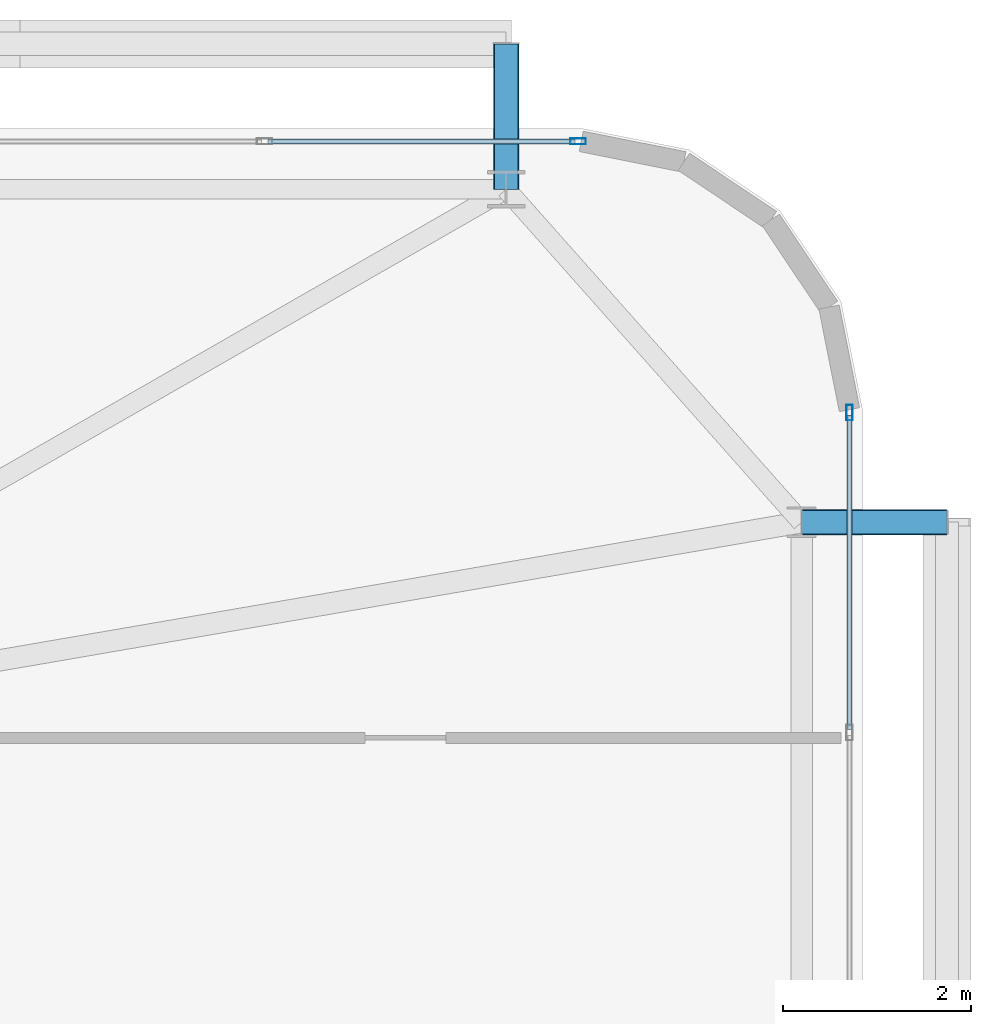
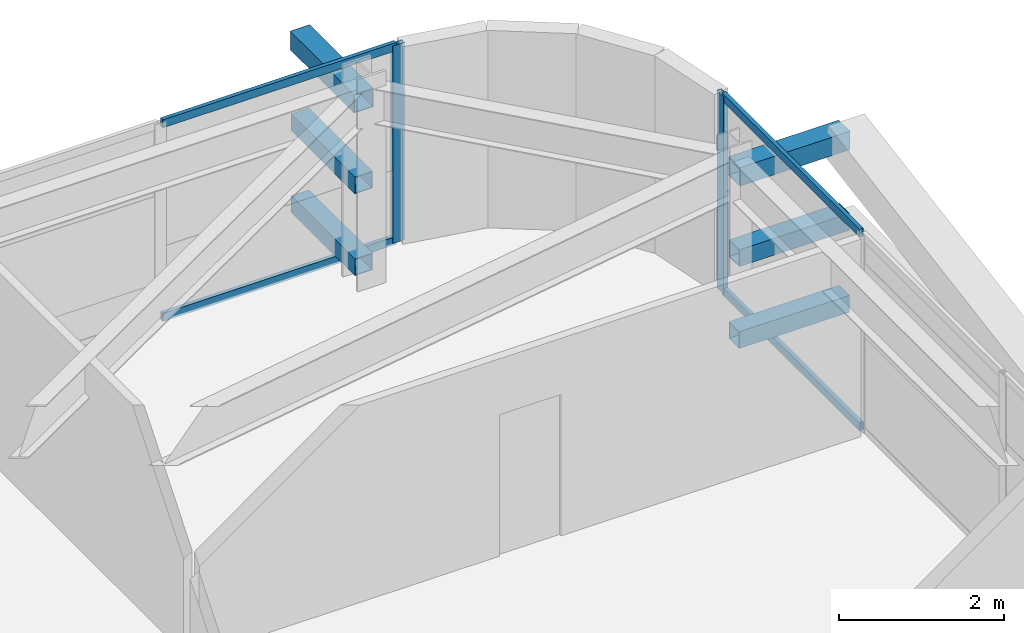
# One storey, part 41 of 58: 12 members, 2 elements without a shape of their own.
"""IFC4 building model written with IfcOpenShell, lengths in metres."""

from ifc_helpers import new_model, si_unit, direction, frame, origin, origin_2d, place, context, subcontext, project, spatial, hollow_rectangle, extrude, source, transform, mapped, material, layer, layer_set, material_profile, profile_set, type_object, element, aggregate, save


model = new_model("IFC4")

# Units and contexts
model_context = context("Model", 3, precision=1e-05, world=origin(), true_north=direction((0.0, 1.0)))
body_context = subcontext(model_context, "Body", "Model", "MODEL_VIEW")
ifc_project = project(units=[si_unit("LENGTHUNIT", "METRE"), si_unit("AREAUNIT", "SQUARE_METRE"), si_unit("VOLUMEUNIT", "CUBIC_METRE"), si_unit("PLANEANGLEUNIT", "RADIAN"), si_unit("MASSUNIT", "GRAM", prefix="KILO")], contexts=[model_context])

# Site, building, storey
site_placement = place(None, origin())
site = spatial("IfcSite", under=ifc_project, at=site_placement, CompositionType="ELEMENT")
building_placement = place(site_placement, origin())
building = spatial("IfcBuilding", under=site, at=building_placement, Name="Taldren Reach Tower", CompositionType="ELEMENT")
storey_placement = place(building_placement, frame((0.0, 0.0, 51.449951171875)))
storey = spatial("IfcBuildingStorey", under=building, at=storey_placement, Name="L15", CompositionType="ELEMENT", Elevation=51.449951171875)

# Members
ifc_material_1 = material(Name="Steel Gr 450 (C450L0)", Category="steel")
ifc_material_profile_1 = material_profile(ifc_material_1, hollow_rectangle(XDim=0.27490234375, YDim=0.27490234375, WallThickness=0.00927734375, at=origin_2d()), Name="275x275x9.3SHS")
ifc_profile_set_1 = profile_set([ifc_material_profile_1], Name="Steel Gr 450 (C450L0)")
member_type_1 = type_object("IfcMemberType", Name="MB-TIE273", PredefinedType="STRUT", material=ifc_profile_set_1)
shared_shape_1 = source(origin(), body_context, "Body", "SweptSolid", [
    extrude(hollow_rectangle(XDim=0.27490234375, YDim=0.27490234375, WallThickness=0.00927734375, at=origin_2d()), origin(), (0.0, 0.0, 1.0), 1.5498046875),
])
for number, where, z_axis, x_axis, name in (
    (1, (61.199951171875, 37.85009765625, 2.650146484375), (0.0, 1.0, 0.0), (-1.0, 0.0, 0.0), "Exoskeleton diaphragm tie strut B1-N6 L15"),
    (2, (64.35009765625, 34.300048828125, 2.650146484375), (1.0, 0.0, 0.0), (0.0, 1.0, 0.0), "Exoskeleton diaphragm tie strut B1-E3 L15"),
):
    element("IfcMember", number, at=place(storey_placement, frame(where, z_axis=z_axis, x_axis=x_axis)), inside=storey, type_object=member_type_1, Name=name, PredefinedType="STRUT", context=body_context, shape_type="MappedRepresentation", body=[
        mapped(shared_shape_1, transform((0.0, 0.0, 0.0), scale=1.0)),
    ])
ifc_material_2 = material(Name="Steel Gr 350 (C350L0)", Category="steel")
ifc_material_profile_2 = material_profile(ifc_material_2, hollow_rectangle(XDim=0.25, YDim=0.25, WallThickness=0.010009765625, at=origin_2d()), Name="250x250x10.0SHS")
ifc_profile_set_2 = profile_set([ifc_material_profile_2], Name="Steel Gr 350 (C350L0)")
member_type_2 = type_object("IfcMemberType", Name="MB-POST250", PredefinedType="POST", material=ifc_profile_set_2)
shared_shape_2 = source(origin(), body_context, "Body", "SweptSolid", [
    extrude(hollow_rectangle(XDim=0.25, YDim=0.25, WallThickness=0.010009765625, at=origin_2d()), origin(), (0.0, 0.0, 1.0), 1.5498046875),
])
for number, where, z_axis, x_axis, name in (
    (3, (61.199951171875, 37.85009765625, 0.219970703125), (0.0, 1.0, 0.0), (-1.0, 0.0, 0.0), "Exoskeleton base diaphragm tie strut B1-N6 L15"),
    (4, (64.35009765625, 34.300048828125, 0.219970703125), (1.0, 0.0, 0.0), (0.0, 1.0, 0.0), "Exoskeleton base diaphragm tie strut B1-E3 L15"),
    (5, (61.199951171875, 37.85009765625, 1.43505859375), (0.0, 1.0, 0.0), (-1.0, 0.0, 0.0), "Exoskeleton mid-tier diaphragm tie B1-N6 L15"),
    (6, (64.35009765625, 34.300048828125, 1.43505859375), (1.0, 0.0, 0.0), (0.0, 1.0, 0.0), "Exoskeleton mid-tier diaphragm tie B1-E3 L15"),
):
    element("IfcMember", number, at=place(storey_placement, frame(where, z_axis=z_axis, x_axis=x_axis)), inside=storey, type_object=member_type_2, Name=name, PredefinedType="POST", context=body_context, shape_type="MappedRepresentation", body=[
        mapped(shared_shape_2, transform((0.0, 0.0, 0.0), scale=1.0)),
    ])

# Curtain wall, member
ifc_material_3 = material(Name="Aluminium and Low-E Glass Unitised System", Category="aluminium")
ifc_layer = layer(ifc_material_3, 0.159912109375)
ifc_layer_set = layer_set([ifc_layer], Name="Aluminium and Low-E Glass Unitised System")
curtain_wall_type = type_object("IfcCurtainWallType", Name="CW-SYS-2", PredefinedType="NOTDEFINED", material=ifc_layer_set)
curtain_wall_1_placement = place(storey_placement, origin())
curtain_wall_1 = element("IfcCurtainWall", 7, at=curtain_wall_1_placement, inside=storey, type_object=curtain_wall_type, Name="Unitised curtain wall CW-L15-N", PredefinedType="NOTDEFINED")
ifc_material_4 = material(Name="Anodised Aluminium 6063-T6", Category="aluminium")
ifc_material_profile_3 = material_profile(ifc_material_4, hollow_rectangle(XDim=0.06494140625, YDim=0.1650390625, WallThickness=0.00390625, at=origin_2d()), Name="ALU-165x65x4RHS")
ifc_profile_set_3 = profile_set([ifc_material_profile_3], Name="Anodised Aluminium 6063-T6")
member_type_3 = type_object("IfcMemberType", Name="CW-MUL-165", PredefinedType="MULLION", material=ifc_profile_set_3)
shared_shape_3 = source(origin(), body_context, "Body", "SweptSolid", [
    extrude(hollow_rectangle(XDim=0.06494140625, YDim=0.1650390625, WallThickness=0.00390625, at=origin_2d()), origin(), (0.0, 0.0, 1.0), 2.929931640625),
])
member_1_placement = place(storey_placement, frame((61.967529296875, 38.360107421875, 0.0), z_axis=(0.0, 0.0, 1.0), x_axis=(0.0, -1.0, 0.0)))
member_1 = element("IfcMember", 8, at=member_1_placement, type_object=member_type_3, Name="CW-2 mullion 1", PredefinedType="MULLION", context=body_context, shape_type="MappedRepresentation", body=[
    mapped(shared_shape_3, transform((0.0, 0.0, 0.0), scale=1.0)),
])

curtain_wall_2_placement = place(storey_placement, origin())
curtain_wall_2 = element("IfcCurtainWall", 9, at=curtain_wall_2_placement, inside=storey, type_object=curtain_wall_type, Name="Unitised curtain wall CW-L15-E", PredefinedType="NOTDEFINED")
member_2_placement = place(storey_placement, frame((64.860107421875, 35.467529296875, 0.0), z_axis=(0.0, 0.0, 1.0), x_axis=(-1.0, 0.0, 0.0)))
member_2 = element("IfcMember", 10, at=member_2_placement, type_object=member_type_3, Name="CW-2 mullion 10", PredefinedType="MULLION", context=body_context, shape_type="MappedRepresentation", body=[
    mapped(shared_shape_3, transform((0.0, 0.0, 0.0), scale=1.0)),
])

# Member
ifc_material_profile_4 = material_profile(ifc_material_4, hollow_rectangle(XDim=0.054931640625, YDim=0.1201171875, WallThickness=0.0029296875, at=origin_2d()), Name="ALU-120x55x3RHS")
ifc_profile_set_4 = profile_set([ifc_material_profile_4], Name="Anodised Aluminium 6063-T6")
member_type_4 = type_object("IfcMemberType", Name="CW-TRN-135", PredefinedType="USERDEFINED", material=ifc_profile_set_4)
shared_shape_4 = source(origin(), body_context, "Body", "SweptSolid", [
    extrude(hollow_rectangle(XDim=0.054931640625, YDim=0.1201171875, WallThickness=0.0029296875, at=origin_2d()), origin(), (0.0, 0.0, 1.0), 3.277587890625),
])
member_3_placement = place(storey_placement, frame((61.93505859375, 38.360107421875, 0.027587890625), z_axis=(-1.0, 0.0, 0.0), x_axis=(0.0, -1.0, 0.0)))
member_3 = element("IfcMember", 11, at=member_3_placement, type_object=member_type_4, Name="CW-2 transom 1.1", ObjectType="TRANSOM", PredefinedType="USERDEFINED", context=body_context, shape_type="MappedRepresentation", body=[
    mapped(shared_shape_4, transform((0.0, 0.0, 0.0), scale=1.0)),
])

member_4_placement = place(storey_placement, frame((61.93505859375, 38.360107421875, 2.902587890625), z_axis=(-1.0, 0.0, 0.0), x_axis=(0.0, -1.0, 0.0)))
member_4 = element("IfcMember", 12, at=member_4_placement, type_object=member_type_4, Name="CW-2 transom 1.2", ObjectType="TRANSOM", PredefinedType="USERDEFINED", context=body_context, shape_type="MappedRepresentation", body=[
    mapped(shared_shape_4, transform((0.0, 0.0, 0.0), scale=1.0)),
])

aggregate(curtain_wall_1, [member_1, member_3, member_4])

shared_shape_5 = source(origin(), body_context, "Body", "SweptSolid", [
    extrude(hollow_rectangle(XDim=0.054931640625, YDim=0.1201171875, WallThickness=0.0029296875, at=origin_2d()), origin(), (0.0, 0.0, 1.0), 3.346923828125),
])
member_5_placement = place(storey_placement, frame((64.860107421875, 32.088134765625, 0.027587890625), z_axis=(0.0, 1.0, 0.0), x_axis=(-1.0, 0.0, 0.0)))
member_5 = element("IfcMember", 13, at=member_5_placement, type_object=member_type_4, Name="CW-2 transom 9.1", ObjectType="TRANSOM", PredefinedType="USERDEFINED", context=body_context, shape_type="MappedRepresentation", body=[
    mapped(shared_shape_5, transform((0.0, 0.0, 0.0), scale=1.0)),
])

member_6_placement = place(storey_placement, frame((64.860107421875, 32.088134765625, 2.902587890625), z_axis=(0.0, 1.0, 0.0), x_axis=(-1.0, 0.0, 0.0)))
member_6 = element("IfcMember", 14, at=member_6_placement, type_object=member_type_4, Name="CW-2 transom 9.2", ObjectType="TRANSOM", PredefinedType="USERDEFINED", context=body_context, shape_type="MappedRepresentation", body=[
    mapped(shared_shape_5, transform((0.0, 0.0, 0.0), scale=1.0)),
])

aggregate(curtain_wall_2, [member_2, member_5, member_6])

save(model, "model.ifc")
